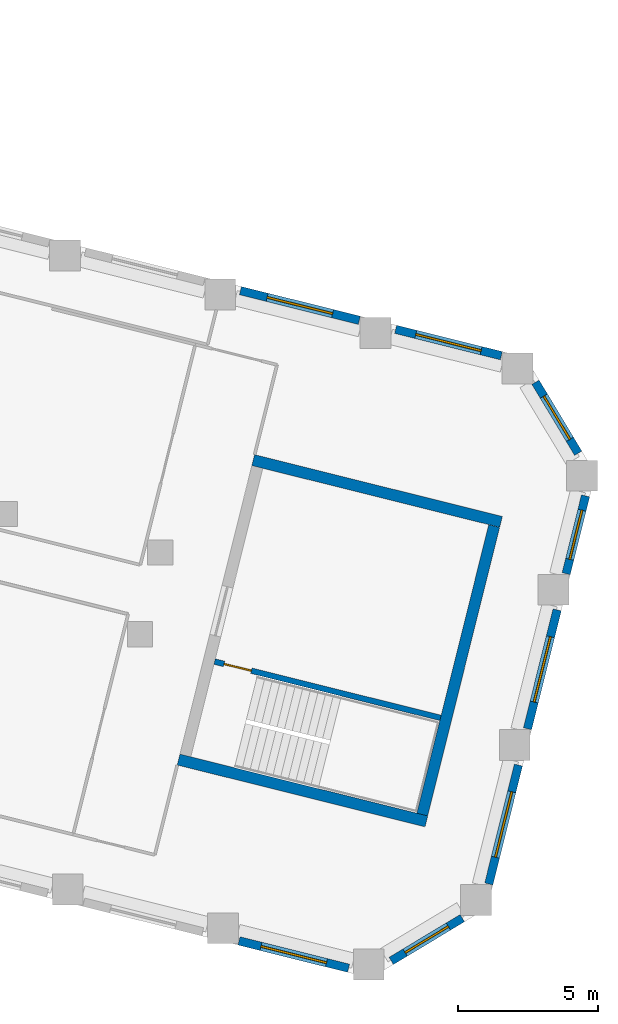
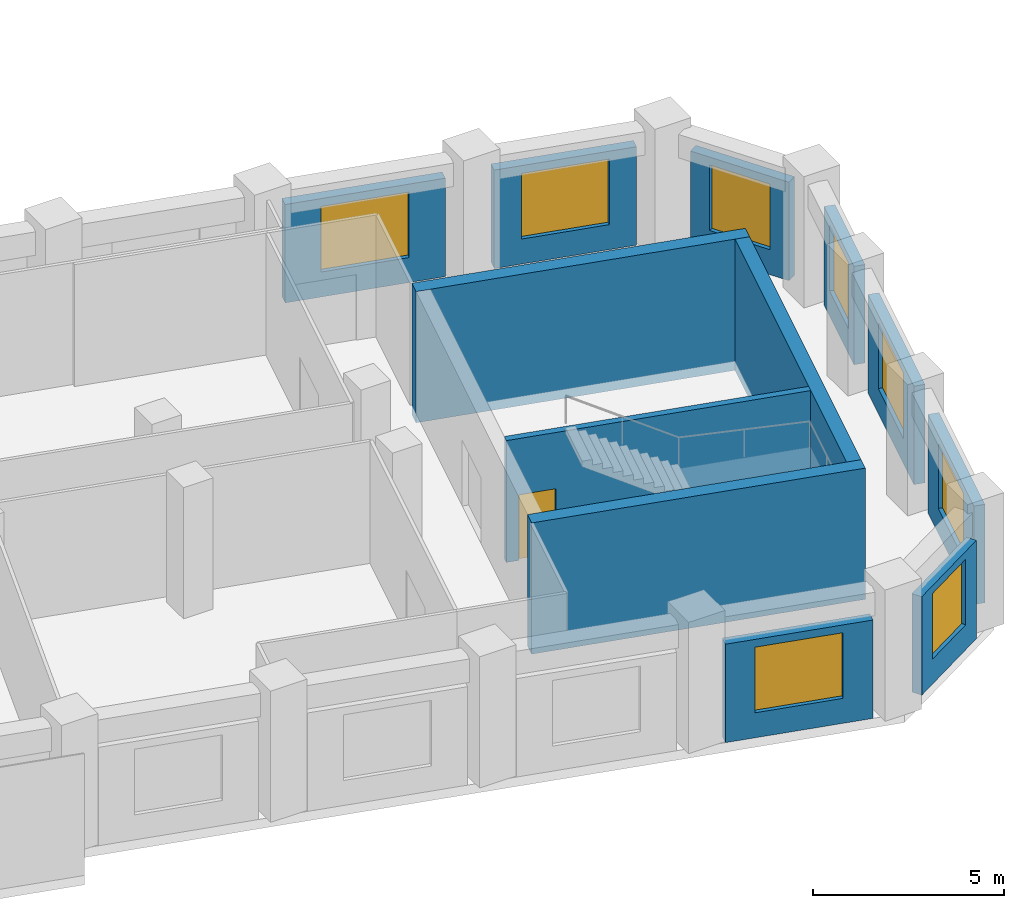
# One storey, part 7 of 10: 12 walls, 8 windows, 1 door, 9 openings.
"""IFC4 building model written with IfcOpenShell, lengths in metres."""

from ifc_helpers import new_model, si_unit, direction, frame, frame_2d, origin, place, context, subcontext, project, spatial, rectangle, extrude, material, layer, layer_set, type_object, element, fill, save


model = new_model("IFC4")

# Units and contexts
model_context = context("Model", 3, precision=1e-05, world=origin(), true_north=direction((0.0, 1.0)))
body_context = subcontext(model_context, "Body", "Model", "MODEL_VIEW")
ifc_project = project(units=[si_unit("LENGTHUNIT", "METRE"), si_unit("AREAUNIT", "SQUARE_METRE"), si_unit("VOLUMEUNIT", "CUBIC_METRE"), si_unit("PLANEANGLEUNIT", "RADIAN"), si_unit("MASSUNIT", "GRAM", prefix="KILO")], contexts=[model_context])

# Site, building, storey
site_placement = place(None, origin())
site = spatial("IfcSite", under=ifc_project, at=site_placement, CompositionType="ELEMENT")
building_placement = place(site_placement, origin())
building = spatial("IfcBuilding", under=site, at=building_placement, Name="Meshkara Civic Tower", CompositionType="ELEMENT")
storey_placement = place(building_placement, frame((0.0, 0.0, 246.60009765625)))
storey = spatial("IfcBuildingStorey", under=building, at=storey_placement, Name="L56", CompositionType="ELEMENT", Elevation=246.60009765625)

# Wall, opening, window
ifc_material_1 = material(Name="Insulated infill panel with bronze anodised aluminium cladding", Category="aluminium")
ifc_layer_1 = layer(ifc_material_1, 0.300048828125)
ifc_layer_set_1 = layer_set([ifc_layer_1], Name="EXTERNAL INFILL WALL 300")
wall_type_1 = type_object("IfcWallType", Name="EXTERNAL INFILL WALL 300", PredefinedType="SOLIDWALL", material=ifc_layer_set_1)
wall_1_placement = place(storey_placement, frame((71.02001953125, 5.635986328125, 0.0), z_axis=(0.0, 0.0, 1.0), x_axis=(-0.970297701374, 0.241913973777, 0.0)))
wall_1 = element("IfcWall", 1, at=wall_1_placement, inside=storey, type_object=wall_type_1, Name="External wall", PredefinedType="SOLIDWALL", context=body_context, shape_type="SweptSolid", body=[
    extrude(rectangle(XDim=3.88134765625, YDim=0.300048828125, at=frame_2d((1.940673828125, 0.0))), origin(), (0.0, 0.0, 1.0), 3.14990234375),
])
opening_1_placement = place(wall_1_placement, frame((0.740966796875, 0.0, 0.800048828125)))
opening_1 = element("IfcOpeningElement", 2, at=opening_1_placement, cuts=wall_1, Name="Opening W7", PredefinedType="OPENING", context=body_context, shape_type="SweptSolid", body=[
    extrude(rectangle(XDim=2.39990234375, YDim=2.10009765625, at=frame_2d((1.199951171875, 1.050048828125))), frame((0.0, 0.159912109375, 0.0), z_axis=(0.0, -1.0, 0.0), x_axis=(1.0, 0.0, 0.0)), (0.0, 0.0, 1.0), 0.320068359375),
])
ifc_material_2 = material(Name="Tinted double glazing", Category="glass")
window_type_1 = type_object("IfcWindowType", Name="WINDOW 2400x2100", PartitioningType="DOUBLE_PANEL_VERTICAL", PredefinedType="WINDOW", material=ifc_material_2)
window_1_placement = place(opening_1_placement, origin())
window_1 = element("IfcWindow", 3, at=window_1_placement, inside=storey, type_object=window_type_1, Name="Window", OverallHeight=2.10009765625, OverallWidth=2.39990234375, PartitioningType="DOUBLE_PANEL_VERTICAL", PredefinedType="WINDOW", context=body_context, shape_type="SweptSolid", body=[
    extrude(rectangle(XDim=2.39990234375, YDim=2.10009765625, at=frame_2d((1.199951171875, 1.050048828125))), frame((0.0, 0.030029296875, 0.0), z_axis=(0.0, -1.0, 0.0), x_axis=(1.0, 0.0, 0.0)), (0.0, 0.0, 1.0), 0.06005859375),
])
fill(opening_1, window_1)

wall_2_placement = place(storey_placement, frame((65.9599609375, 6.89794921875, 0.0), z_axis=(0.0, 0.0, 1.0), x_axis=(-0.970309996763, 0.241864652607, 0.0)))
wall_2 = element("IfcWall", 4, at=wall_2_placement, inside=storey, type_object=wall_type_1, Name="External wall", PredefinedType="SOLIDWALL", context=body_context, shape_type="SweptSolid", body=[
    extrude(rectangle(XDim=4.36669921875, YDim=0.300048828125, at=frame_2d((2.183349609375, 0.0))), origin(), (0.0, 0.0, 1.0), 3.14990234375),
])
opening_2_placement = place(wall_2_placement, frame((0.98291015625, 0.0, 0.800048828125)))
opening_2 = element("IfcOpeningElement", 5, at=opening_2_placement, cuts=wall_2, Name="Opening W7", PredefinedType="OPENING", context=body_context, shape_type="SweptSolid", body=[
    extrude(rectangle(XDim=2.39990234375, YDim=2.10009765625, at=frame_2d((1.199951171875, 1.050048828125))), frame((0.0, 0.159912109375, 0.0), z_axis=(0.0, -1.0, 0.0), x_axis=(1.0, 0.0, 0.0)), (0.0, 0.0, 1.0), 0.320068359375),
])
window_2_placement = place(opening_2_placement, origin())
window_2 = element("IfcWindow", 6, at=window_2_placement, inside=storey, type_object=window_type_1, Name="Window", OverallHeight=2.10009765625, OverallWidth=2.39990234375, PartitioningType="DOUBLE_PANEL_VERTICAL", PredefinedType="WINDOW", context=body_context, shape_type="SweptSolid", body=[
    extrude(rectangle(XDim=2.39990234375, YDim=2.10009765625, at=frame_2d((1.199951171875, 1.050048828125))), frame((0.0, 0.030029296875, 0.0), z_axis=(0.0, -1.0, 0.0), x_axis=(1.0, 0.0, 0.0)), (0.0, 0.0, 1.0), 0.06005859375),
])
fill(opening_2, window_2)

wall_3_placement = place(storey_placement, frame((61.6708984375, -15.220947265625, 0.0), z_axis=(0.0, 0.0, 1.0), x_axis=(0.97026726112, -0.242036034503, 0.0)))
wall_3 = element("IfcWall", 7, at=wall_3_placement, inside=storey, type_object=wall_type_1, Name="External wall", PredefinedType="SOLIDWALL", context=body_context, shape_type="SweptSolid", body=[
    extrude(rectangle(XDim=4.024658203125, YDim=0.300048828125, at=frame_2d((2.01220703125, 0.0))), origin(), (0.0, 0.0, 1.0), 3.14990234375),
])
opening_3_placement = place(wall_3_placement, frame((0.81201171875, 0.0, 0.800048828125)))
opening_3 = element("IfcOpeningElement", 8, at=opening_3_placement, cuts=wall_3, Name="Opening W7", PredefinedType="OPENING", context=body_context, shape_type="SweptSolid", body=[
    extrude(rectangle(XDim=2.39990234375, YDim=2.10009765625, at=frame_2d((1.199951171875, 1.050048828125))), frame((0.0, 0.159912109375, 0.0), z_axis=(0.0, -1.0, 0.0), x_axis=(1.0, 0.0, 0.0)), (0.0, 0.0, 1.0), 0.320068359375),
])
window_3_placement = place(opening_3_placement, origin())
window_3 = element("IfcWindow", 9, at=window_3_placement, inside=storey, type_object=window_type_1, Name="Window", OverallHeight=2.10009765625, OverallWidth=2.39990234375, PartitioningType="DOUBLE_PANEL_VERTICAL", PredefinedType="WINDOW", context=body_context, shape_type="SweptSolid", body=[
    extrude(rectangle(XDim=2.39990234375, YDim=2.10009765625, at=frame_2d((1.199951171875, 1.050048828125))), frame((0.0, 0.030029296875, 0.0), z_axis=(0.0, -1.0, 0.0), x_axis=(1.0, 0.0, 0.0)), (0.0, 0.0, 1.0), 0.06005859375),
])
fill(opening_3, window_3)

wall_4_placement = place(storey_placement, frame((67.097900390625, -15.93408203125, 0.0), z_axis=(0.0, 0.0, 1.0), x_axis=(0.857077006791, 0.515188319384, 0.0)))
wall_4 = element("IfcWall", 10, at=wall_4_placement, inside=storey, type_object=wall_type_1, Name="External wall", PredefinedType="SOLIDWALL", context=body_context, shape_type="SweptSolid", body=[
    extrude(rectangle(XDim=2.9541015625, YDim=0.300048828125, at=frame_2d((1.47705078125, 0.0))), origin(), (0.0, 0.0, 1.0), 3.14990234375),
])
opening_4_placement = place(wall_4_placement, frame((0.576904296875, 0.0, 0.800048828125)))
opening_4 = element("IfcOpeningElement", 11, at=opening_4_placement, cuts=wall_4, Name="Opening W9", PredefinedType="OPENING", context=body_context, shape_type="SweptSolid", body=[
    extrude(rectangle(XDim=1.800048828125, YDim=2.10009765625, at=frame_2d((0.89990234375, 1.050048828125))), frame((0.0, 0.159912109375, 0.0), z_axis=(0.0, -1.0, 0.0), x_axis=(1.0, 0.0, 0.0)), (0.0, 0.0, 1.0), 0.320068359375),
])
ifc_material_3 = material(Name="Tinted double glazing", Category="glass")
window_type_2 = type_object("IfcWindowType", Name="WINDOW 1800x2100", PartitioningType="DOUBLE_PANEL_VERTICAL", PredefinedType="WINDOW", material=ifc_material_3)
window_4_placement = place(opening_4_placement, origin())
window_4 = element("IfcWindow", 12, at=window_4_placement, inside=storey, type_object=window_type_2, Name="Window", OverallHeight=2.10009765625, OverallWidth=1.800048828125, PartitioningType="DOUBLE_PANEL_VERTICAL", PredefinedType="WINDOW", context=body_context, shape_type="SweptSolid", body=[
    extrude(rectangle(XDim=1.800048828125, YDim=2.10009765625, at=frame_2d((0.89990234375, 1.050048828125))), frame((0.0, 0.030029296875, 0.0), z_axis=(0.0, -1.0, 0.0), x_axis=(1.0, 0.0, 0.0)), (0.0, 0.0, 1.0), 0.06005859375),
])
fill(opening_4, window_4)

wall_5_placement = place(storey_placement, frame((70.574951171875, -13.19189453125, 0.0), z_axis=(0.0, 0.0, 1.0), x_axis=(0.241877774353, 0.970306725873, 0.0)))
wall_5 = element("IfcWall", 13, at=wall_5_placement, inside=storey, type_object=wall_type_1, Name="External wall", PredefinedType="SOLIDWALL", context=body_context, shape_type="SweptSolid", body=[
    extrude(rectangle(XDim=4.366455078125, YDim=0.300048828125, at=frame_2d((2.18310546875, 0.0))), origin(), (0.0, 0.0, 1.0), 3.14990234375),
])
opening_5_placement = place(wall_5_placement, frame((0.98291015625, 0.0, 0.800048828125)))
opening_5 = element("IfcOpeningElement", 14, at=opening_5_placement, cuts=wall_5, Name="Opening W7", PredefinedType="OPENING", context=body_context, shape_type="SweptSolid", body=[
    extrude(rectangle(XDim=2.39990234375, YDim=2.10009765625, at=frame_2d((1.199951171875, 1.050048828125))), frame((0.0, 0.159912109375, 0.0), z_axis=(0.0, -1.0, 0.0), x_axis=(1.0, 0.0, 0.0)), (0.0, 0.0, 1.0), 0.320068359375),
])
window_5_placement = place(opening_5_placement, origin())
window_5 = element("IfcWindow", 15, at=window_5_placement, inside=storey, type_object=window_type_1, Name="Window", OverallHeight=2.10009765625, OverallWidth=2.39990234375, PartitioningType="DOUBLE_PANEL_VERTICAL", PredefinedType="WINDOW", context=body_context, shape_type="SweptSolid", body=[
    extrude(rectangle(XDim=2.39990234375, YDim=2.10009765625, at=frame_2d((1.199951171875, 1.050048828125))), frame((0.0, 0.030029296875, 0.0), z_axis=(0.0, -1.0, 0.0), x_axis=(1.0, 0.0, 0.0)), (0.0, 0.0, 1.0), 0.06005859375),
])
fill(opening_5, window_5)

wall_6_placement = place(storey_placement, frame((71.9541015625, -7.660888671875, 0.0), z_axis=(0.0, 0.0, 1.0), x_axis=(0.241877622649, 0.97030676369, 0.0)))
wall_6 = element("IfcWall", 16, at=wall_6_placement, inside=storey, type_object=wall_type_1, Name="External wall", PredefinedType="SOLIDWALL", context=body_context, shape_type="SweptSolid", body=[
    extrude(rectangle(XDim=4.365478515625, YDim=0.300048828125, at=frame_2d((2.1826171875, 0.0))), origin(), (0.0, 0.0, 1.0), 3.14990234375),
])
opening_6_placement = place(wall_6_placement, frame((0.98291015625, 0.0, 0.800048828125)))
opening_6 = element("IfcOpeningElement", 17, at=opening_6_placement, cuts=wall_6, Name="Opening W7", PredefinedType="OPENING", context=body_context, shape_type="SweptSolid", body=[
    extrude(rectangle(XDim=2.39990234375, YDim=2.10009765625, at=frame_2d((1.199951171875, 1.050048828125))), frame((0.0, 0.159912109375, 0.0), z_axis=(0.0, -1.0, 0.0), x_axis=(1.0, 0.0, 0.0)), (0.0, 0.0, 1.0), 0.320068359375),
])
window_6_placement = place(opening_6_placement, origin())
window_6 = element("IfcWindow", 18, at=window_6_placement, inside=storey, type_object=window_type_1, Name="Window", OverallHeight=2.10009765625, OverallWidth=2.39990234375, PartitioningType="DOUBLE_PANEL_VERTICAL", PredefinedType="WINDOW", context=body_context, shape_type="SweptSolid", body=[
    extrude(rectangle(XDim=2.39990234375, YDim=2.10009765625, at=frame_2d((1.199951171875, 1.050048828125))), frame((0.0, 0.030029296875, 0.0), z_axis=(0.0, -1.0, 0.0), x_axis=(1.0, 0.0, 0.0)), (0.0, 0.0, 1.0), 0.06005859375),
])
fill(opening_6, window_6)

wall_7_placement = place(storey_placement, frame((73.3330078125, -2.131103515625, 0.0), z_axis=(0.0, 0.0, 1.0), x_axis=(0.241770612026, 0.970333432981, 0.0)))
wall_7 = element("IfcWall", 19, at=wall_7_placement, inside=storey, type_object=wall_type_1, Name="External wall", PredefinedType="SOLIDWALL", context=body_context, shape_type="SweptSolid", body=[
    extrude(rectangle(XDim=2.853759765625, YDim=0.300048828125, at=frame_2d((1.4267578125, 0.0))), origin(), (0.0, 0.0, 1.0), 3.14990234375),
])
opening_7_placement = place(wall_7_placement, frame((0.527099609375, 0.0, 0.800048828125)))
opening_7 = element("IfcOpeningElement", 20, at=opening_7_placement, cuts=wall_7, Name="Opening W9", PredefinedType="OPENING", context=body_context, shape_type="SweptSolid", body=[
    extrude(rectangle(XDim=1.800048828125, YDim=2.10009765625, at=frame_2d((0.89990234375, 1.050048828125))), frame((0.0, 0.159912109375, 0.0), z_axis=(0.0, -1.0, 0.0), x_axis=(1.0, 0.0, 0.0)), (0.0, 0.0, 1.0), 0.320068359375),
])
window_7_placement = place(opening_7_placement, origin())
window_7 = element("IfcWindow", 21, at=window_7_placement, inside=storey, type_object=window_type_2, Name="Window", OverallHeight=2.10009765625, OverallWidth=1.800048828125, PartitioningType="DOUBLE_PANEL_VERTICAL", PredefinedType="WINDOW", context=body_context, shape_type="SweptSolid", body=[
    extrude(rectangle(XDim=1.800048828125, YDim=2.10009765625, at=frame_2d((0.89990234375, 1.050048828125))), frame((0.0, 0.030029296875, 0.0), z_axis=(0.0, -1.0, 0.0), x_axis=(1.0, 0.0, 0.0)), (0.0, 0.0, 1.0), 0.06005859375),
])
fill(opening_7, window_7)

wall_8_placement = place(storey_placement, frame((73.761962890625, 2.159912109375, 0.0), z_axis=(0.0, 0.0, 1.0), x_axis=(-0.515334317037, 0.856989230786, 0.0)))
wall_8 = element("IfcWall", 22, at=wall_8_placement, inside=storey, type_object=wall_type_1, Name="External wall", PredefinedType="SOLIDWALL", context=body_context, shape_type="SweptSolid", body=[
    extrude(rectangle(XDim=2.953369140625, YDim=0.300048828125, at=frame_2d((1.4765625, 0.0))), origin(), (0.0, 0.0, 1.0), 3.14990234375),
])
opening_8_placement = place(wall_8_placement, frame((0.576904296875, 0.0, 0.800048828125)))
opening_8 = element("IfcOpeningElement", 23, at=opening_8_placement, cuts=wall_8, Name="Opening W9", PredefinedType="OPENING", context=body_context, shape_type="SweptSolid", body=[
    extrude(rectangle(XDim=1.800048828125, YDim=2.10009765625, at=frame_2d((0.89990234375, 1.050048828125))), frame((0.0, 0.159912109375, 0.0), z_axis=(0.0, -1.0, 0.0), x_axis=(1.0, 0.0, 0.0)), (0.0, 0.0, 1.0), 0.320068359375),
])
window_8_placement = place(opening_8_placement, origin())
window_8 = element("IfcWindow", 24, at=window_8_placement, inside=storey, type_object=window_type_2, Name="Window", OverallHeight=2.10009765625, OverallWidth=1.800048828125, PartitioningType="DOUBLE_PANEL_VERTICAL", PredefinedType="WINDOW", context=body_context, shape_type="SweptSolid", body=[
    extrude(rectangle(XDim=1.800048828125, YDim=2.10009765625, at=frame_2d((0.89990234375, 1.050048828125))), frame((0.0, 0.030029296875, 0.0), z_axis=(0.0, -1.0, 0.0), x_axis=(1.0, 0.0, 0.0)), (0.0, 0.0, 1.0), 0.06005859375),
])
fill(opening_8, window_8)

# Walls
ifc_material_4 = material(Name="Concrete C60", Category="concrete")
ifc_layer_2 = layer(ifc_material_4, 0.39990234375)
ifc_layer_set_2 = layer_set([ifc_layer_2], Name="End core ring wall 400 C60")
wall_type_2 = type_object("IfcWallType", Name="End core ring wall 400 C60", PredefinedType="SHEAR", material=ifc_layer_set_2)
wall_9_placement = place(storey_placement, frame((59.51904296875, -8.759033203125, -0.300048828125), z_axis=(0.0, 0.0, 1.0), x_axis=(0.970287509026, -0.241954850805, 0.0)))
element("IfcWall", 25, at=wall_9_placement, inside=storey, type_object=wall_type_2, Name="L56-C028", PredefinedType="SHEAR", context=body_context, shape_type="SweptSolid", body=[
    extrude(rectangle(XDim=9.1005859375, YDim=0.39990234375, at=frame_2d((4.55029296875, 0.0))), origin(), (0.0, 0.0, 1.0), 4.199951171875),
])
wall_10_placement = place(storey_placement, frame((62.179931640625, 1.9140625, -0.300048828125), z_axis=(0.0, 0.0, 1.0), x_axis=(0.970306400786, -0.241879078453, 0.0)))
element("IfcWall", 26, at=wall_10_placement, inside=storey, type_object=wall_type_2, Name="L56-C029", PredefinedType="SHEAR", context=body_context, shape_type="SweptSolid", body=[
    extrude(rectangle(XDim=9.100341796875, YDim=0.39990234375, at=frame_2d((4.55029296875, 0.0))), origin(), (0.0, 0.0, 1.0), 4.199951171875),
])
wall_11_placement = place(storey_placement, frame((68.202880859375, -10.718017578125, -0.300048828125), z_axis=(0.0, 0.0, 1.0), x_axis=(0.241912337509, 0.970298109326, 0.0)))
element("IfcWall", 27, at=wall_11_placement, inside=storey, type_object=wall_type_2, Name="L56-C031", PredefinedType="SHEAR", context=body_context, shape_type="SweptSolid", body=[
    extrude(rectangle(XDim=10.599853515625, YDim=0.39990234375, at=frame_2d((5.2998046875, 0.0))), origin(), (0.0, 0.0, 1.0), 4.199951171875),
])

# Wall, opening, door
ifc_material_5 = material(Name="Concrete C40/50", Category="concrete")
ifc_layer_3 = layer(ifc_material_5, 0.199951171875)
ifc_layer_set_3 = layer_set([ifc_layer_3], Name="Stair enclosure wall 200 C40/50")
wall_type_3 = type_object("IfcWallType", Name="Stair enclosure wall 200 C40/50", PredefinedType="SOLIDWALL", material=ifc_layer_set_3)
wall_12_placement = place(storey_placement, frame((60.802001953125, -5.26611328125, 0.0), z_axis=(0.0, 0.0, 1.0), x_axis=(0.970303192681, -0.241891947516, 0.0)))
wall_12 = element("IfcWall", 28, at=wall_12_placement, inside=storey, type_object=wall_type_3, Name="L56-C032", PredefinedType="SOLIDWALL", context=body_context, shape_type="SweptSolid", body=[
    extrude(rectangle(XDim=8.300537109375, YDim=0.199951171875, at=frame_2d((4.150390625, 0.0))), origin(), (0.0, 0.0, 1.0), 3.89990234375),
])
opening_9_placement = place(wall_12_placement, frame((0.35009765625, 0.0, 0.0)))
opening_9 = element("IfcOpeningElement", 29, at=opening_9_placement, cuts=wall_12, Name="Opening L56-K201", PredefinedType="OPENING", context=body_context, shape_type="SweptSolid", body=[
    extrude(rectangle(XDim=1.0, YDim=2.10009765625, at=frame_2d((0.5, 1.050048828125))), frame((0.0, 0.10986328125, 0.0), z_axis=(0.0, -1.0, 0.0), x_axis=(1.0, 0.0, 0.0)), (0.0, 0.0, 1.0), 0.219970703125),
])
ifc_material_6 = material(Name="Fire-rated door leaf in steel frame", Category="steel")
door_type = type_object("IfcDoorType", Name="Stair door 1000 EI 120", OperationType="SINGLE_SWING_LEFT", PredefinedType="DOOR", material=ifc_material_6)
door_placement = place(opening_9_placement, origin())
door = element("IfcDoor", 30, at=door_placement, inside=storey, type_object=door_type, Name="L56-K201", OperationType="SINGLE_SWING_LEFT", OverallHeight=2.10009765625, OverallWidth=1.0, PredefinedType="DOOR", context=body_context, shape_type="SweptSolid", body=[
    extrude(rectangle(XDim=1.0, YDim=2.10009765625, at=frame_2d((0.5, 1.050048828125))), frame((0.0, 0.02490234375, 0.0), z_axis=(0.0, -1.0, 0.0), x_axis=(1.0, 0.0, 0.0)), (0.0, 0.0, 1.0), 0.050048828125),
])
fill(opening_9, door)

save(model, "model.ifc")
